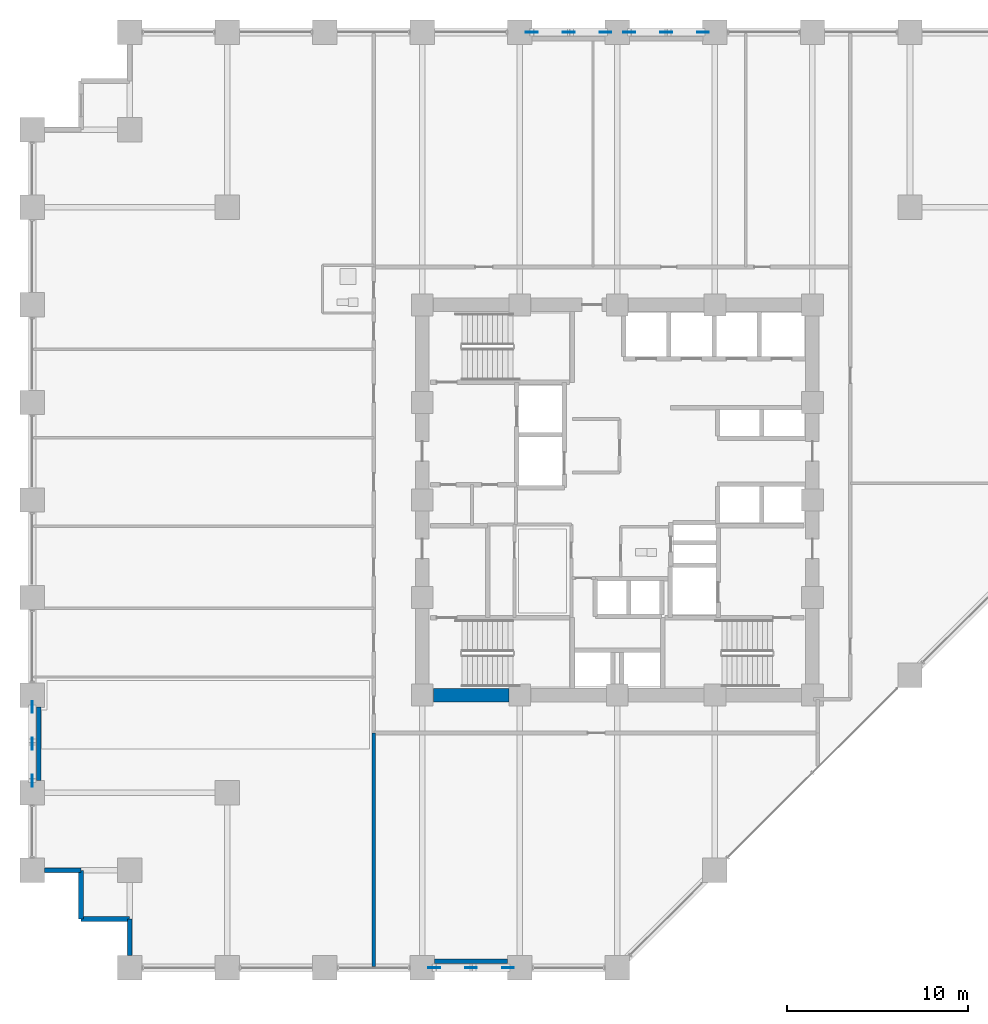
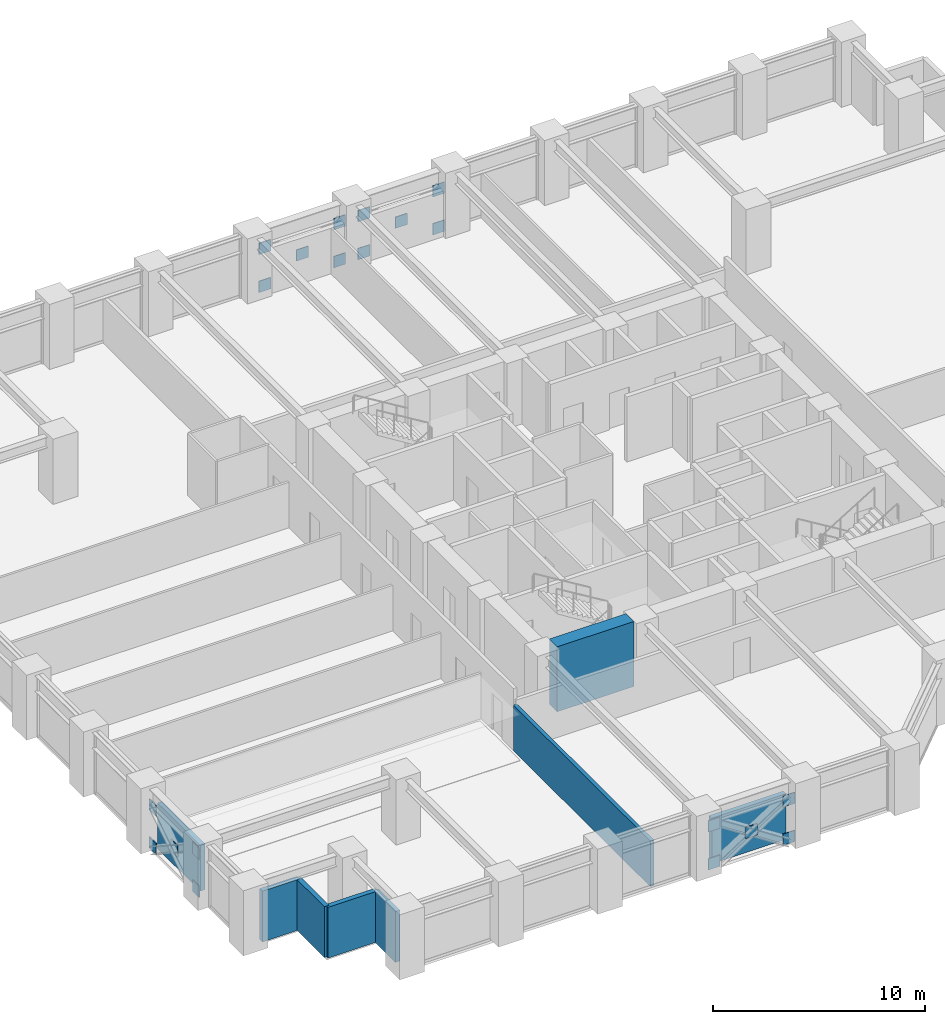
# One storey, part 19 of 25: 20 plates, 8 walls.
"""IFC4 building model written with IfcOpenShell, lengths in metres."""

from ifc_helpers import new_model, si_unit, direction, frame, frame_2d, origin, origin_2d, place, context, subcontext, project, spatial, rectangle, extrude, material, layer, layer_set, type_object, element, save


model = new_model("IFC4")

# Units and contexts
model_context = context("Model", 3, precision=1e-05, world=origin(), true_north=direction((0.0, 1.0)))
body_context = subcontext(model_context, "Body", "Model", "MODEL_VIEW")
ifc_project = project(units=[si_unit("LENGTHUNIT", "METRE"), si_unit("AREAUNIT", "SQUARE_METRE"), si_unit("VOLUMEUNIT", "CUBIC_METRE"), si_unit("PLANEANGLEUNIT", "RADIAN"), si_unit("MASSUNIT", "GRAM", prefix="KILO")], contexts=[model_context])

# Site, building, storey
site_placement = place(None, origin())
site = spatial("IfcSite", under=ifc_project, at=site_placement, CompositionType="ELEMENT")
building_placement = place(site_placement, origin())
building = spatial("IfcBuilding", under=site, at=building_placement, Name="Surkhivell Harbour Commons", CompositionType="ELEMENT")
storey_placement = place(building_placement, frame((0.0, 0.0, 37.5)))
storey = spatial("IfcBuildingStorey", under=building, at=storey_placement, Name="L09", CompositionType="ELEMENT", Elevation=37.5)

# Plates
ifc_material_1 = material(Name="Steel S460", Category="steel")
ifc_layer_1 = layer(ifc_material_1, 0.044921875)
ifc_layer_set_1 = layer_set([ifc_layer_1], Name="Steel S460")
plate_type = type_object("IfcPlateType", Name="PLT-GUS-650", PredefinedType="USERDEFINED", material=ifc_layer_set_1)
for number, where, z_axis, x_axis, name in (
    (1, (-4.739990234375, 25.89990234375, -0.08935546875), (0.0, 0.0, 1.0), (1.0, 0.0, 0.0), "L09 Perimeter Mega-Brace MB- Corner Gusset N-1"),
    (2, (-0.659912109375, 25.89990234375, -0.08935546875), (0.0, 0.0, 1.0), (1.0, 0.0, 0.0), "L09 Perimeter Mega-Brace MB- Corner Gusset N-2"),
    (3, (-4.739990234375, 25.89990234375, 2.1005859375), (0.0, 0.0, 1.0), (1.0, 0.0, 0.0), "L09 Perimeter Mega-Brace MB- Corner Gusset N-3"),
    (4, (-0.659912109375, 25.89990234375, 2.1005859375), (0.0, 0.0, 1.0), (1.0, 0.0, 0.0), "L09 Perimeter Mega-Brace MB- Corner Gusset N-4"),
    (5, (-2.699951171875, 25.89990234375, 1.005615234375), (0.0, 0.0, 1.0), (1.0, 0.0, 0.0), "L09 Perimeter Mega-Brace MB- Central Crossing Gusset N"),
    (6, (0.659912109375, 25.89990234375, -0.08935546875), (0.0, 0.0, 1.0), (1.0, 0.0, 0.0), "L09 Perimeter Mega-Brace MB- Corner Gusset N2-1"),
    (7, (4.739990234375, 25.89990234375, -0.08935546875), (0.0, 0.0, 1.0), (1.0, 0.0, 0.0), "L09 Perimeter Mega-Brace MB- Corner Gusset N2-2"),
    (8, (0.659912109375, 25.89990234375, 2.1005859375), (0.0, 0.0, 1.0), (1.0, 0.0, 0.0), "L09 Perimeter Mega-Brace MB- Corner Gusset N2-3"),
    (9, (4.739990234375, 25.89990234375, 2.1005859375), (0.0, 0.0, 1.0), (1.0, 0.0, 0.0), "L09 Perimeter Mega-Brace MB- Corner Gusset N2-4"),
    (10, (2.699951171875, 25.89990234375, 1.005615234375), (0.0, 0.0, 1.0), (1.0, 0.0, 0.0), "L09 Perimeter Mega-Brace MB- Central Crossing Gusset N2"),
    (11, (-10.139892578125, -25.89990234375, -0.08935546875), (0.0, 0.0, 1.0), (1.0, 0.0, 0.0), "L09 Perimeter Mega-Brace MB- Corner Gusset S-1"),
    (12, (-6.06005859375, -25.89990234375, -0.08935546875), (0.0, 0.0, 1.0), (1.0, 0.0, 0.0), "L09 Perimeter Mega-Brace MB- Corner Gusset S-2"),
    (13, (-10.139892578125, -25.89990234375, 2.1005859375), (0.0, 0.0, 1.0), (1.0, 0.0, 0.0), "L09 Perimeter Mega-Brace MB- Corner Gusset S-3"),
    (14, (-6.06005859375, -25.89990234375, 2.1005859375), (0.0, 0.0, 1.0), (1.0, 0.0, 0.0), "L09 Perimeter Mega-Brace MB- Corner Gusset S-4"),
    (15, (-8.10009765625, -25.89990234375, 1.005615234375), (0.0, 0.0, 1.0), (1.0, 0.0, 0.0), "L09 Perimeter Mega-Brace MB- Central Crossing Gusset S"),
    (16, (-32.39990234375, -15.5400390625, -0.08935546875), (0.0, 0.0, 1.0), (0.0, 1.0, 0.0), "L09 Perimeter Mega-Brace MB- Corner Gusset W-1"),
    (17, (-32.39990234375, -11.4599609375, -0.08935546875), (0.0, 0.0, 1.0), (0.0, 1.0, 0.0), "L09 Perimeter Mega-Brace MB- Corner Gusset W-2"),
    (18, (-32.39990234375, -15.5400390625, 2.1005859375), (0.0, 0.0, 1.0), (0.0, 1.0, 0.0), "L09 Perimeter Mega-Brace MB- Corner Gusset W-3"),
    (19, (-32.39990234375, -11.4599609375, 2.1005859375), (0.0, 0.0, 1.0), (0.0, 1.0, 0.0), "L09 Perimeter Mega-Brace MB- Corner Gusset W-4"),
    (20, (-32.39990234375, -13.5, 1.005615234375), (0.0, 0.0, 1.0), (0.0, 1.0, 0.0), "L09 Perimeter Mega-Brace MB- Central Crossing Gusset W"),
):
    element("IfcPlate", number, at=place(storey_placement, frame(where, z_axis=z_axis, x_axis=x_axis)), inside=storey, type_object=plate_type, Name=name, ObjectType="GUSSET_PLATE", PredefinedType="USERDEFINED", context=body_context, shape_type="SweptSolid", body=[
        extrude(rectangle(XDim=0.64990234375, YDim=0.044921875, at=origin_2d()), origin(), (0.0, 0.0, 1.0), 0.64990234375),
    ])

# Walls
ifc_material_2 = material(Name="Concrete C60/75", Category="concrete")
ifc_layer_2 = layer(ifc_material_2, 0.75)
ifc_layer_set_2 = layer_set([ifc_layer_2], Name="Concrete C60/75")
wall_type_1 = type_object("IfcWallType", Name="WAL-CORE-750", PredefinedType="SHEAR", material=ifc_layer_set_2)
wall_1_placement = place(storey_placement, frame((-10.18994140625, -10.800048828125, 0.0), z_axis=(0.0, 0.0, 1.0), x_axis=(1.0, 0.0, 0.0)))
element("IfcWall", 21, at=wall_1_placement, inside=storey, type_object=wall_type_1, Name="L09 Core Shear Wall South 1", PredefinedType="SHEAR", context=body_context, shape_type="SweptSolid", body=[
    extrude(rectangle(XDim=4.179931640625, YDim=0.75, at=frame_2d((2.08984375, 0.0))), origin(), (0.0, 0.0, 1.0), 3.75),
])
ifc_material_3 = material(Name="Pale-metal insulated precast concrete C45/55", Category="concrete")
ifc_layer_3 = layer(ifc_material_3, 0.260009765625)
ifc_layer_set_3 = layer_set([ifc_layer_3], Name="Pale-metal insulated precast concrete C45/55")
wall_type_2 = type_object("IfcWallType", Name="WAL-EXT-MTL260", PredefinedType="STANDARD", material=ifc_layer_set_3)
wall_2_placement = place(storey_placement, frame((-10.126953125, -25.5400390625, 0.0), z_axis=(0.0, 0.0, 1.0), x_axis=(1.0, 0.0, 0.0)))
element("IfcWall", 22, at=wall_2_placement, inside=storey, type_object=wall_type_2, Name="L09 Braced-Bay Insulated Spandrel Backing S", PredefinedType="STANDARD", context=body_context, shape_type="SweptSolid", body=[
    extrude(rectangle(XDim=4.053955078125, YDim=0.260009765625, at=frame_2d((2.02685546875, 0.0))), origin(), (0.0, 0.0, 1.0), 2.62890625),
])
wall_3_placement = place(storey_placement, frame((-32.0400390625, -11.472900390625, 0.0), z_axis=(0.0, 0.0, 1.0), x_axis=(0.0, -1.0, 0.0)))
element("IfcWall", 23, at=wall_3_placement, inside=storey, type_object=wall_type_2, Name="L09 Braced-Bay Insulated Spandrel Backing W", PredefinedType="STANDARD", context=body_context, shape_type="SweptSolid", body=[
    extrude(rectangle(XDim=4.05419921875, YDim=0.260009765625, at=frame_2d((2.027099609375, 0.0))), origin(), (0.0, 0.0, 1.0), 2.62890625),
])
wall_4_placement = place(storey_placement, frame((-31.72705078125, -20.5, 0.0), z_axis=(0.0, 0.0, 1.0), x_axis=(1.0, 0.0, 0.0)))
element("IfcWall", 24, at=wall_4_placement, inside=storey, type_object=wall_type_2, Name="L09 Serrated Corner Facade Wall 13", PredefinedType="STANDARD", context=body_context, shape_type="SweptSolid", body=[
    extrude(rectangle(XDim=2.027099609375, YDim=0.260009765625, at=frame_2d((1.013671875, 0.0))), origin(), (0.0, 0.0, 1.0), 2.929931640625),
])
for number, where, z_axis, x_axis, name in (
    (25, (-29.699951171875, -20.5, 0.0), (0.0, 0.0, 1.0), (0.0, -1.0, 0.0), "L09 Serrated Corner Facade Wall 14"),
    (26, (-29.699951171875, -23.199951171875, 0.0), (0.0, 0.0, 1.0), (1.0, 0.0, 0.0), "L09 Serrated Corner Facade Wall 15"),
):
    element("IfcWall", number, at=place(storey_placement, frame(where, z_axis=z_axis, x_axis=x_axis)), inside=storey, type_object=wall_type_2, Name=name, PredefinedType="STANDARD", context=body_context, shape_type="SweptSolid", body=[
        extrude(rectangle(XDim=2.699951171875, YDim=0.260009765625, at=frame_2d((1.35009765625, 0.0))), origin(), (0.0, 0.0, 1.0), 2.929931640625),
    ])
wall_5_placement = place(storey_placement, frame((-27.0, -23.199951171875, 0.0), z_axis=(0.0, 0.0, 1.0), x_axis=(0.0, -1.0, 0.0)))
element("IfcWall", 27, at=wall_5_placement, inside=storey, type_object=wall_type_2, Name="L09 Serrated Corner Facade Wall 16", PredefinedType="STANDARD", context=body_context, shape_type="SweptSolid", body=[
    extrude(rectangle(XDim=2.027099609375, YDim=0.260009765625, at=frame_2d((1.013671875, 0.0))), origin(), (0.0, 0.0, 1.0), 2.929931640625),
])
ifc_material_4 = material(Name="Autoclaved aerated concrete blockwork and fire plaster", Category="masonry")
ifc_layer_4 = layer(ifc_material_4, 0.199951171875)
ifc_layer_set_4 = layer_set([ifc_layer_4], Name="Autoclaved aerated concrete blockwork and fire plaster")
wall_type_3 = type_object("IfcWallType", Name="WAL-INT-200", PredefinedType="PARTITIONING", material=ifc_layer_set_4)
wall_6_placement = place(storey_placement, frame((-13.47998046875, -25.840087890625, 0.0), z_axis=(0.0, 0.0, 1.0), x_axis=(0.0, 1.0, 0.0)))
element("IfcWall", 28, at=wall_6_placement, inside=storey, type_object=wall_type_3, Name="L09 South-West Wing Corner Divider", PredefinedType="PARTITIONING", context=body_context, shape_type="SweptSolid", body=[
    extrude(rectangle(XDim=12.940185546875, YDim=0.199951171875, at=frame_2d((6.47021484375, 0.0))), origin(), (0.0, 0.0, 1.0), 2.62890625),
])

save(model, "model.ifc")
